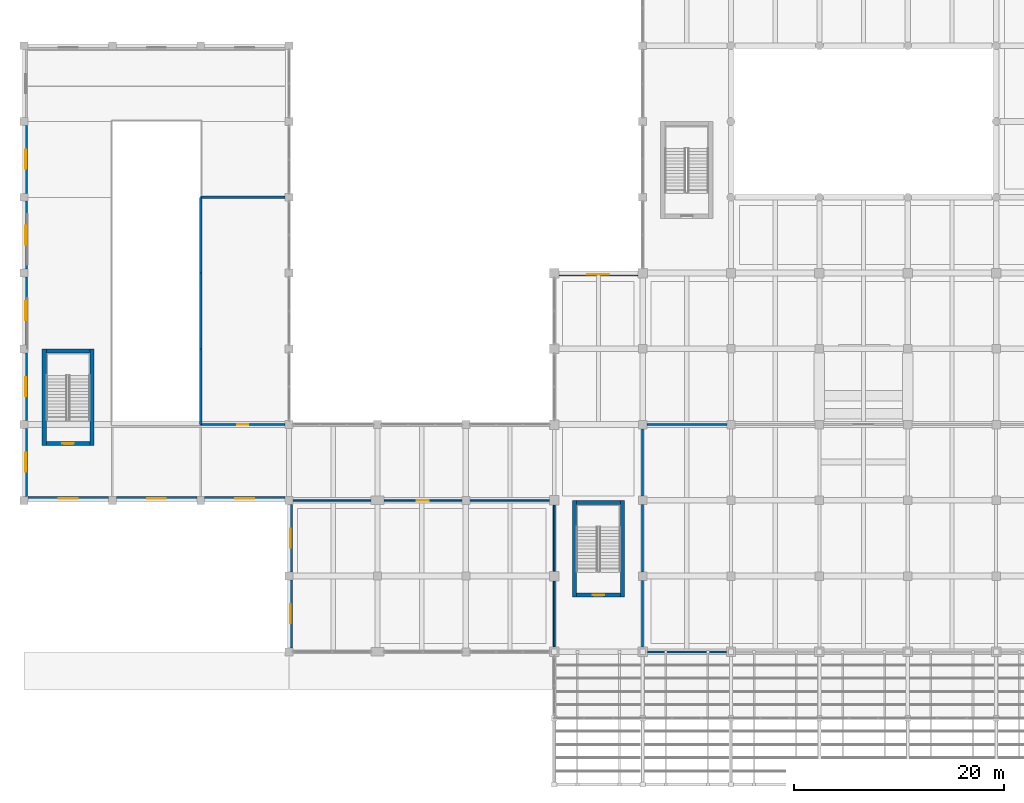
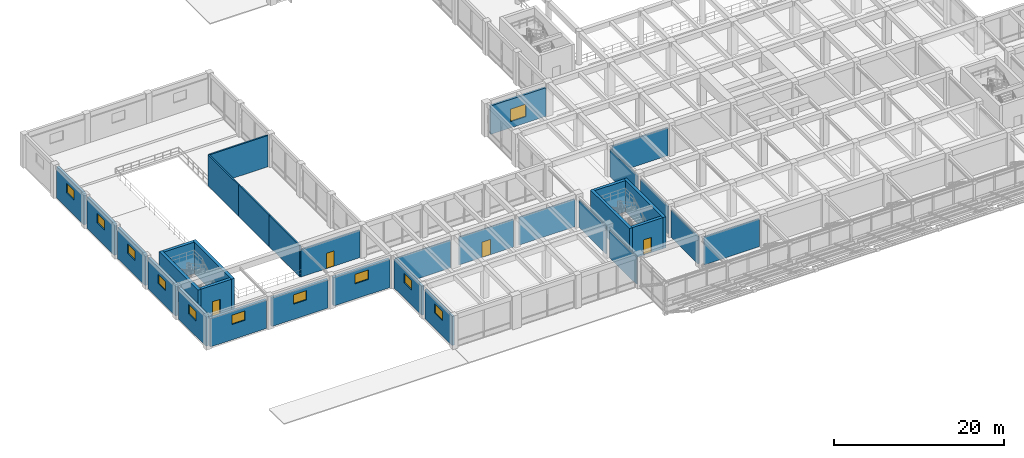
# One storey, part 33 of 52: 34 walls, 11 windows, 4 doors, 15 openings.
"""IFC4 building model written with IfcOpenShell, lengths in metres."""

from ifc_helpers import new_model, si_unit, direction, frame, frame_2d, origin, place, context, subcontext, project, spatial, rectangle, extrude, material, layer, layer_set, type_object, element, fill, save


model = new_model("IFC4")

# Units and contexts
model_context = context("Model", 3, precision=1e-05, world=origin(), true_north=direction((0.0, 1.0)))
body_context = subcontext(model_context, "Body", "Model", "MODEL_VIEW")
ifc_project = project(units=[si_unit("LENGTHUNIT", "METRE"), si_unit("AREAUNIT", "SQUARE_METRE"), si_unit("VOLUMEUNIT", "CUBIC_METRE"), si_unit("PLANEANGLEUNIT", "RADIAN"), si_unit("MASSUNIT", "GRAM", prefix="KILO")], contexts=[model_context])

# Site, building, storey
site_placement = place(None, origin())
site = spatial("IfcSite", under=ifc_project, at=site_placement, CompositionType="ELEMENT")
building_placement = place(site_placement, origin())
building = spatial("IfcBuilding", under=site, at=building_placement, Name="Kenerak Square Central Library", CompositionType="ELEMENT")
storey_placement = place(building_placement, frame((0.0, 0.0, 4.800048828125)))
storey = spatial("IfcBuildingStorey", under=building, at=storey_placement, Name="L01", CompositionType="ELEMENT", Elevation=4.800048828125)

# Wall
ifc_material_1 = material(Name="Precast concrete C40/50", Category="concrete")
ifc_layer_1 = layer(ifc_material_1, 0.14990234375)
ifc_layer_set_1 = layer_set([ifc_layer_1], Name="Precast concrete C40/50")
wall_type_1 = type_object("IfcWallType", Name="Acoustic Blockwork Partition IW-150 C40/50", PredefinedType="PARTITIONING", material=ifc_layer_set_1)
wall_1_placement = place(storey_placement, frame((33.574951171875, 31.199951171875, 0.0), z_axis=(0.0, 0.0, 1.0), x_axis=(1.0, 0.0, 0.0)))
element("IfcWall", 1, at=wall_1_placement, inside=storey, type_object=wall_type_1, Name="Interior Wall IW-L01-03-N2-B1", PredefinedType="PARTITIONING", context=body_context, shape_type="SweptSolid", body=[
    extrude(rectangle(XDim=7.425048828125, YDim=0.14990234375, at=frame_2d((3.71240234375, 0.0))), origin(), (0.0, 0.0, 1.0), 4.0),
])

# Wall, opening, door
wall_2_placement = place(storey_placement, frame((42.199951171875, 31.199951171875, 0.0), z_axis=(0.0, 0.0, 1.0), x_axis=(1.0, 0.0, 0.0)))
wall_2 = element("IfcWall", 2, at=wall_2_placement, inside=storey, type_object=wall_type_1, Name="Interior Wall IW-L01-03-N2-B2", PredefinedType="PARTITIONING", context=body_context, shape_type="SweptSolid", body=[
    extrude(rectangle(XDim=7.425048828125, YDim=0.14990234375, at=frame_2d((3.71240234375, 0.0))), origin(), (0.0, 0.0, 1.0), 4.0),
])
opening_1_placement = place(wall_2_placement, frame((3.137451171875, 0.0, 0.0)))
opening_1 = element("IfcOpeningElement", 3, at=opening_1_placement, cuts=wall_2, Name="Opening ID-05", PredefinedType="OPENING", context=body_context, shape_type="SweptSolid", body=[
    extrude(rectangle(XDim=1.14990234375, YDim=2.199951171875, at=frame_2d((0.574951171875, 1.10009765625))), frame((0.0, 0.0849609375, 0.0), z_axis=(0.0, -1.0, 0.0), x_axis=(1.0, 0.0, 0.0)), (0.0, 0.0, 1.0), 0.169921875),
])
ifc_material_2 = material(Name="Chengal hardwood timber SG1", Category="wood")
door_type_1 = type_object("IfcDoorType", Name="Seminar Room Acoustic Door ID-1150x2200", OperationType="NOTDEFINED", PredefinedType="DOOR", material=ifc_material_2)
door_1_placement = place(opening_1_placement, origin())
door_1 = element("IfcDoor", 4, at=door_1_placement, inside=storey, type_object=door_type_1, Name="Community Learning Seminar Room West Door", OperationType="SINGLE_SWING_LEFT", OverallHeight=2.199951171875, OverallWidth=1.14990234375, PredefinedType="DOOR", context=body_context, shape_type="SweptSolid", body=[
    extrude(rectangle(XDim=1.14990234375, YDim=2.199951171875, at=frame_2d((0.574951171875, 1.10009765625))), frame((0.0, 0.02490234375, 0.0), z_axis=(0.0, -1.0, 0.0), x_axis=(1.0, 0.0, 0.0)), (0.0, 0.0, 1.0), 0.050048828125),
])
fill(opening_1, door_1)

# Walls
wall_3_placement = place(storey_placement, frame((50.375, 31.199951171875, 0.0), z_axis=(0.0, 0.0, 1.0), x_axis=(1.0, 0.0, 0.0)))
element("IfcWall", 5, at=wall_3_placement, inside=storey, type_object=wall_type_1, Name="Interior Wall IW-L01-03-N2-B3", PredefinedType="PARTITIONING", context=body_context, shape_type="SweptSolid", body=[
    extrude(rectangle(XDim=7.574951171875, YDim=0.14990234375, at=frame_2d((3.78759765625, 0.0))), origin(), (0.0, 0.0, 1.0), 4.0),
])
for number, where, z_axis, x_axis, name in (
    (6, (58.39990234375, 30.75, 0.0), (0.0, 0.0, 1.0), (0.0, -1.0, 0.0), "Interior Wall IW-L01-03-E4-B1"),
    (7, (58.39990234375, 23.550048828125, 0.0), (0.0, 0.0, 1.0), (0.0, -1.0, 0.0), "Interior Wall IW-L01-03-E4-B2"),
):
    element("IfcWall", number, at=place(storey_placement, frame(where, z_axis=z_axis, x_axis=x_axis)), inside=storey, type_object=wall_type_1, Name=name, PredefinedType="PARTITIONING", context=body_context, shape_type="SweptSolid", body=[
        extrude(rectangle(XDim=6.300048828125, YDim=0.14990234375, at=frame_2d((3.14990234375, 0.0))), origin(), (0.0, 0.0, 1.0), 3.89990234375),
    ])

# Wall, opening, window
ifc_material_3 = material(Name="Concrete C40/50", Category="concrete")
ifc_layer_2 = layer(ifc_material_3, 0.35009765625)
ifc_layer_set_2 = layer_set([ifc_layer_2], Name="Concrete C40/50")
wall_type_2 = type_object("IfcWallType", Name="Auditorium Fluted Acoustic Wall AW-350 C40/50", PredefinedType="SOLIDWALL", material=ifc_layer_set_2)
wall_4_placement = place(storey_placement, frame((32.824951171875, 31.375, 0.0), z_axis=(0.0, 0.0, 1.0), x_axis=(-1.0, 0.0, 0.0)))
wall_4 = element("IfcWall", 8, at=wall_4_placement, inside=storey, type_object=wall_type_2, Name="Exterior Facade Wall L01 0144", PredefinedType="SOLIDWALL", context=body_context, shape_type="SweptSolid", body=[
    extrude(rectangle(XDim=7.64990234375, YDim=0.35009765625, at=frame_2d((3.824951171875, 0.0))), origin(), (0.0, 0.0, 1.0), 4.099853515625),
])
opening_2_placement = place(wall_4_placement, frame((2.925048828125, 0.0, 2.199951171875)))
opening_2 = element("IfcOpeningElement", 9, at=opening_2_placement, cuts=wall_4, Name="Opening W-08", PredefinedType="OPENING", context=body_context, shape_type="SweptSolid", body=[
    extrude(rectangle(XDim=1.800048828125, YDim=1.35009765625, at=frame_2d((0.89990234375, 0.675048828125))), frame((0.0, 0.18505859375, 0.0), z_axis=(0.0, -1.0, 0.0), x_axis=(1.0, 0.0, 0.0)), (0.0, 0.0, 1.0), 0.3701171875),
])
ifc_material_4 = material(Name="Solar-control low-E laminated double glazing", Category="glass")
window_type_1 = type_object("IfcWindowType", Name="Acoustic Clerestory Window W-08 1800x1350", PartitioningType="SINGLE_PANEL", PredefinedType="WINDOW", material=ifc_material_4)
window_1_placement = place(opening_2_placement, origin())
window_1 = element("IfcWindow", 10, at=window_1_placement, inside=storey, type_object=window_type_1, Name="Window W-08 L01 0133", OverallHeight=1.35009765625, OverallWidth=1.800048828125, PartitioningType="SINGLE_PANEL", PredefinedType="WINDOW", context=body_context, shape_type="SweptSolid", body=[
    extrude(rectangle(XDim=1.800048828125, YDim=1.35009765625, at=frame_2d((0.89990234375, 0.675048828125))), frame((0.0, 0.030029296875, 0.0), z_axis=(0.0, -1.0, 0.0), x_axis=(1.0, 0.0, 0.0)), (0.0, 0.0, 1.0), 0.06005859375),
])
fill(opening_2, window_1)

wall_5_placement = place(storey_placement, frame((24.425048828125, 31.375, 0.0), z_axis=(0.0, 0.0, 1.0), x_axis=(-1.0, 0.0, 0.0)))
wall_5 = element("IfcWall", 11, at=wall_5_placement, inside=storey, type_object=wall_type_2, Name="Exterior Facade Wall L01 0145", PredefinedType="SOLIDWALL", context=body_context, shape_type="SweptSolid", body=[
    extrude(rectangle(XDim=7.650146484375, YDim=0.35009765625, at=frame_2d((3.8251953125, 0.0))), origin(), (0.0, 0.0, 1.0), 4.099853515625),
])
opening_3_placement = place(wall_5_placement, frame((2.925048828125, 0.0, 2.199951171875)))
opening_3 = element("IfcOpeningElement", 12, at=opening_3_placement, cuts=wall_5, Name="Opening W-08", PredefinedType="OPENING", context=body_context, shape_type="SweptSolid", body=[
    extrude(rectangle(XDim=1.800048828125, YDim=1.35009765625, at=frame_2d((0.89990234375, 0.675048828125))), frame((0.0, 0.18505859375, 0.0), z_axis=(0.0, -1.0, 0.0), x_axis=(1.0, 0.0, 0.0)), (0.0, 0.0, 1.0), 0.3701171875),
])
window_2_placement = place(opening_3_placement, origin())
window_2 = element("IfcWindow", 13, at=window_2_placement, inside=storey, type_object=window_type_1, Name="Window W-08 L01 0134", OverallHeight=1.35009765625, OverallWidth=1.800048828125, PartitioningType="SINGLE_PANEL", PredefinedType="WINDOW", context=body_context, shape_type="SweptSolid", body=[
    extrude(rectangle(XDim=1.800048828125, YDim=1.35009765625, at=frame_2d((0.89990234375, 0.675048828125))), frame((0.0, 0.030029296875, 0.0), z_axis=(0.0, -1.0, 0.0), x_axis=(1.0, 0.0, 0.0)), (0.0, 0.0, 1.0), 0.06005859375),
])
fill(opening_3, window_2)

wall_6_placement = place(storey_placement, frame((16.02490234375, 31.375, 0.0), z_axis=(0.0, 0.0, 1.0), x_axis=(-1.0, 0.0, 0.0)))
wall_6 = element("IfcWall", 14, at=wall_6_placement, inside=storey, type_object=wall_type_2, Name="Exterior Facade Wall L01 0146", PredefinedType="SOLIDWALL", context=body_context, shape_type="SweptSolid", body=[
    extrude(rectangle(XDim=7.64990234375, YDim=0.35009765625, at=frame_2d((3.824951171875, 0.0))), origin(), (0.0, 0.0, 1.0), 4.099853515625),
])
opening_4_placement = place(wall_6_placement, frame((2.925048828125, 0.0, 2.199951171875)))
opening_4 = element("IfcOpeningElement", 15, at=opening_4_placement, cuts=wall_6, Name="Opening W-08", PredefinedType="OPENING", context=body_context, shape_type="SweptSolid", body=[
    extrude(rectangle(XDim=1.800048828125, YDim=1.35009765625, at=frame_2d((0.89990234375, 0.675048828125))), frame((0.0, 0.18505859375, 0.0), z_axis=(0.0, -1.0, 0.0), x_axis=(1.0, 0.0, 0.0)), (0.0, 0.0, 1.0), 0.3701171875),
])
window_3_placement = place(opening_4_placement, origin())
window_3 = element("IfcWindow", 16, at=window_3_placement, inside=storey, type_object=window_type_1, Name="Window W-08 L01 0135", OverallHeight=1.35009765625, OverallWidth=1.800048828125, PartitioningType="SINGLE_PANEL", PredefinedType="WINDOW", context=body_context, shape_type="SweptSolid", body=[
    extrude(rectangle(XDim=1.800048828125, YDim=1.35009765625, at=frame_2d((0.89990234375, 0.675048828125))), frame((0.0, 0.030029296875, 0.0), z_axis=(0.0, -1.0, 0.0), x_axis=(1.0, 0.0, 0.0)), (0.0, 0.0, 1.0), 0.06005859375),
])
fill(opening_4, window_3)

wall_7_placement = place(storey_placement, frame((8.175048828125, 31.574951171875, 0.0), z_axis=(0.0, 0.0, 1.0), x_axis=(0.0, 1.0, 0.0)))
wall_7 = element("IfcWall", 17, at=wall_7_placement, inside=storey, type_object=wall_type_2, Name="Exterior Facade Wall L01 0147", PredefinedType="SOLIDWALL", context=body_context, shape_type="SweptSolid", body=[
    extrude(rectangle(XDim=6.449951171875, YDim=0.35009765625, at=frame_2d((3.22509765625, 0.0))), origin(), (0.0, 0.0, 1.0), 4.5),
])
opening_5_placement = place(wall_7_placement, frame((2.324951171875, 0.0, 2.199951171875)))
opening_5 = element("IfcOpeningElement", 18, at=opening_5_placement, cuts=wall_7, Name="Opening W-08", PredefinedType="OPENING", context=body_context, shape_type="SweptSolid", body=[
    extrude(rectangle(XDim=1.800048828125, YDim=1.35009765625, at=frame_2d((0.89990234375, 0.675048828125))), frame((0.0, 0.18505859375, 0.0), z_axis=(0.0, -1.0, 0.0), x_axis=(1.0, 0.0, 0.0)), (0.0, 0.0, 1.0), 0.3701171875),
])
window_4_placement = place(opening_5_placement, origin())
window_4 = element("IfcWindow", 19, at=window_4_placement, inside=storey, type_object=window_type_1, Name="Window W-08 L01 0136", OverallHeight=1.35009765625, OverallWidth=1.800048828125, PartitioningType="SINGLE_PANEL", PredefinedType="WINDOW", context=body_context, shape_type="SweptSolid", body=[
    extrude(rectangle(XDim=1.800048828125, YDim=1.35009765625, at=frame_2d((0.89990234375, 0.675048828125))), frame((0.0, 0.030029296875, 0.0), z_axis=(0.0, -1.0, 0.0), x_axis=(1.0, 0.0, 0.0)), (0.0, 0.0, 1.0), 0.06005859375),
])
fill(opening_5, window_4)

wall_8_placement = place(storey_placement, frame((8.175048828125, 38.77490234375, 0.0), z_axis=(0.0, 0.0, 1.0), x_axis=(0.0, 1.0, 0.0)))
wall_8 = element("IfcWall", 20, at=wall_8_placement, inside=storey, type_object=wall_type_2, Name="Exterior Facade Wall L01 0148", PredefinedType="SOLIDWALL", context=body_context, shape_type="SweptSolid", body=[
    extrude(rectangle(XDim=6.4501953125, YDim=0.35009765625, at=frame_2d((3.22509765625, 0.0))), origin(), (0.0, 0.0, 1.0), 4.5),
])
opening_6_placement = place(wall_8_placement, frame((2.324951171875, 0.0, 2.199951171875)))
opening_6 = element("IfcOpeningElement", 21, at=opening_6_placement, cuts=wall_8, Name="Opening W-08", PredefinedType="OPENING", context=body_context, shape_type="SweptSolid", body=[
    extrude(rectangle(XDim=1.800048828125, YDim=1.35009765625, at=frame_2d((0.89990234375, 0.675048828125))), frame((0.0, 0.18505859375, 0.0), z_axis=(0.0, -1.0, 0.0), x_axis=(1.0, 0.0, 0.0)), (0.0, 0.0, 1.0), 0.3701171875),
])
window_5_placement = place(opening_6_placement, origin())
window_5 = element("IfcWindow", 22, at=window_5_placement, inside=storey, type_object=window_type_1, Name="Window W-08 L01 0137", OverallHeight=1.35009765625, OverallWidth=1.800048828125, PartitioningType="SINGLE_PANEL", PredefinedType="WINDOW", context=body_context, shape_type="SweptSolid", body=[
    extrude(rectangle(XDim=1.800048828125, YDim=1.35009765625, at=frame_2d((0.89990234375, 0.675048828125))), frame((0.0, 0.030029296875, 0.0), z_axis=(0.0, -1.0, 0.0), x_axis=(1.0, 0.0, 0.0)), (0.0, 0.0, 1.0), 0.06005859375),
])
fill(opening_6, window_5)

wall_9_placement = place(storey_placement, frame((8.175048828125, 45.97509765625, 0.0), z_axis=(0.0, 0.0, 1.0), x_axis=(0.0, 1.0, 0.0)))
wall_9 = element("IfcWall", 23, at=wall_9_placement, inside=storey, type_object=wall_type_2, Name="Exterior Facade Wall L01 0149", PredefinedType="SOLIDWALL", context=body_context, shape_type="SweptSolid", body=[
    extrude(rectangle(XDim=6.449951171875, YDim=0.35009765625, at=frame_2d((3.22509765625, 0.0))), origin(), (0.0, 0.0, 1.0), 4.5),
])
opening_7_placement = place(wall_9_placement, frame((2.324951171875, 0.0, 2.199951171875)))
opening_7 = element("IfcOpeningElement", 24, at=opening_7_placement, cuts=wall_9, Name="Opening W-08", PredefinedType="OPENING", context=body_context, shape_type="SweptSolid", body=[
    extrude(rectangle(XDim=1.800048828125, YDim=1.35009765625, at=frame_2d((0.89990234375, 0.675048828125))), frame((0.0, 0.18505859375, 0.0), z_axis=(0.0, -1.0, 0.0), x_axis=(1.0, 0.0, 0.0)), (0.0, 0.0, 1.0), 0.3701171875),
])
window_6_placement = place(opening_7_placement, origin())
window_6 = element("IfcWindow", 25, at=window_6_placement, inside=storey, type_object=window_type_1, Name="Window W-08 L01 0138", OverallHeight=1.35009765625, OverallWidth=1.800048828125, PartitioningType="SINGLE_PANEL", PredefinedType="WINDOW", context=body_context, shape_type="SweptSolid", body=[
    extrude(rectangle(XDim=1.800048828125, YDim=1.35009765625, at=frame_2d((0.89990234375, 0.675048828125))), frame((0.0, 0.030029296875, 0.0), z_axis=(0.0, -1.0, 0.0), x_axis=(1.0, 0.0, 0.0)), (0.0, 0.0, 1.0), 0.06005859375),
])
fill(opening_7, window_6)

wall_10_placement = place(storey_placement, frame((8.175048828125, 53.175048828125, 0.0), z_axis=(0.0, 0.0, 1.0), x_axis=(0.0, 1.0, 0.0)))
wall_10 = element("IfcWall", 26, at=wall_10_placement, inside=storey, type_object=wall_type_2, Name="Exterior Facade Wall L01 0150", PredefinedType="SOLIDWALL", context=body_context, shape_type="SweptSolid", body=[
    extrude(rectangle(XDim=6.449951171875, YDim=0.35009765625, at=frame_2d((3.22509765625, 0.0))), origin(), (0.0, 0.0, 1.0), 4.5),
])
opening_8_placement = place(wall_10_placement, frame((2.324951171875, 0.0, 2.199951171875)))
opening_8 = element("IfcOpeningElement", 27, at=opening_8_placement, cuts=wall_10, Name="Opening W-08", PredefinedType="OPENING", context=body_context, shape_type="SweptSolid", body=[
    extrude(rectangle(XDim=1.800048828125, YDim=1.35009765625, at=frame_2d((0.89990234375, 0.675048828125))), frame((0.0, 0.18505859375, 0.0), z_axis=(0.0, -1.0, 0.0), x_axis=(1.0, 0.0, 0.0)), (0.0, 0.0, 1.0), 0.3701171875),
])
window_7_placement = place(opening_8_placement, origin())
window_7 = element("IfcWindow", 28, at=window_7_placement, inside=storey, type_object=window_type_1, Name="Window W-08 L01 0139", OverallHeight=1.35009765625, OverallWidth=1.800048828125, PartitioningType="SINGLE_PANEL", PredefinedType="WINDOW", context=body_context, shape_type="SweptSolid", body=[
    extrude(rectangle(XDim=1.800048828125, YDim=1.35009765625, at=frame_2d((0.89990234375, 0.675048828125))), frame((0.0, 0.030029296875, 0.0), z_axis=(0.0, -1.0, 0.0), x_axis=(1.0, 0.0, 0.0)), (0.0, 0.0, 1.0), 0.06005859375),
])
fill(opening_8, window_7)

wall_11_placement = place(storey_placement, frame((8.175048828125, 60.375, 0.0), z_axis=(0.0, 0.0, 1.0), x_axis=(0.0, 1.0, 0.0)))
wall_11 = element("IfcWall", 29, at=wall_11_placement, inside=storey, type_object=wall_type_2, Name="Exterior Facade Wall L01 0151", PredefinedType="SOLIDWALL", context=body_context, shape_type="SweptSolid", body=[
    extrude(rectangle(XDim=6.449951171875, YDim=0.35009765625, at=frame_2d((3.22509765625, 0.0))), origin(), (0.0, 0.0, 1.0), 4.5),
])
opening_9_placement = place(wall_11_placement, frame((2.324951171875, 0.0, 2.199951171875)))
opening_9 = element("IfcOpeningElement", 30, at=opening_9_placement, cuts=wall_11, Name="Opening W-08", PredefinedType="OPENING", context=body_context, shape_type="SweptSolid", body=[
    extrude(rectangle(XDim=1.800048828125, YDim=1.35009765625, at=frame_2d((0.89990234375, 0.675048828125))), frame((0.0, 0.18505859375, 0.0), z_axis=(0.0, -1.0, 0.0), x_axis=(1.0, 0.0, 0.0)), (0.0, 0.0, 1.0), 0.3701171875),
])
window_8_placement = place(opening_9_placement, origin())
window_8 = element("IfcWindow", 31, at=window_8_placement, inside=storey, type_object=window_type_1, Name="Window W-08 L01 0140", OverallHeight=1.35009765625, OverallWidth=1.800048828125, PartitioningType="SINGLE_PANEL", PredefinedType="WINDOW", context=body_context, shape_type="SweptSolid", body=[
    extrude(rectangle(XDim=1.800048828125, YDim=1.35009765625, at=frame_2d((0.89990234375, 0.675048828125))), frame((0.0, 0.030029296875, 0.0), z_axis=(0.0, -1.0, 0.0), x_axis=(1.0, 0.0, 0.0)), (0.0, 0.0, 1.0), 0.06005859375),
])
fill(opening_9, window_8)

ifc_layer_3 = layer(ifc_material_3, 0.300048828125)
ifc_layer_set_3 = layer_set([ifc_layer_3], Name="Concrete C40/50")
wall_type_3 = type_object("IfcWallType", Name="Board-Marked Brutalist Facade Wall EW-300 C40/50", PredefinedType="SOLIDWALL", material=ifc_layer_set_3)
wall_12_placement = place(storey_placement, frame((58.85009765625, 52.64990234375, 0.0), z_axis=(0.0, 0.0, 1.0), x_axis=(1.0, 0.0, 0.0)))
wall_12 = element("IfcWall", 32, at=wall_12_placement, inside=storey, type_object=wall_type_3, Name="Exterior Facade Wall L01 0108", PredefinedType="SOLIDWALL", context=body_context, shape_type="SweptSolid", body=[
    extrude(rectangle(XDim=7.5, YDim=0.300048828125, at=frame_2d((3.75, 0.0))), origin(), (0.0, 0.0, 1.0), 4.099853515625),
])
opening_10_placement = place(wall_12_placement, frame((2.699951171875, 0.0, 0.89990234375)))
opening_10 = element("IfcOpeningElement", 33, at=opening_10_placement, cuts=wall_12, Name="Opening W-11", PredefinedType="OPENING", context=body_context, shape_type="SweptSolid", body=[
    extrude(rectangle(XDim=2.10009765625, YDim=1.800048828125, at=frame_2d((1.050048828125, 0.89990234375))), frame((0.0, 0.159912109375, 0.0), z_axis=(0.0, -1.0, 0.0), x_axis=(1.0, 0.0, 0.0)), (0.0, 0.0, 1.0), 0.320068359375),
])
window_type_2 = type_object("IfcWindowType", Name="Maker Studio Window W-11 2100x1800", PartitioningType="SINGLE_PANEL", PredefinedType="WINDOW", material=ifc_material_4)
window_9_placement = place(opening_10_placement, origin())
window_9 = element("IfcWindow", 34, at=window_9_placement, inside=storey, type_object=window_type_2, Name="Window W-11 L01 0079", OverallHeight=1.800048828125, OverallWidth=2.10009765625, PartitioningType="SINGLE_PANEL", PredefinedType="WINDOW", context=body_context, shape_type="SweptSolid", body=[
    extrude(rectangle(XDim=2.10009765625, YDim=1.800048828125, at=frame_2d((1.050048828125, 0.89990234375))), frame((0.0, 0.030029296875, 0.0), z_axis=(0.0, -1.0, 0.0), x_axis=(1.0, 0.0, 0.0)), (0.0, 0.0, 1.0), 0.06005859375),
])
fill(opening_10, window_9)

wall_13_placement = place(storey_placement, frame((33.35009765625, 17.175048828125, 0.0), z_axis=(0.0, 0.0, 1.0), x_axis=(0.0, 1.0, 0.0)))
wall_13 = element("IfcWall", 35, at=wall_13_placement, inside=storey, type_object=wall_type_3, Name="Exterior Facade Wall L01 0142", PredefinedType="SOLIDWALL", context=body_context, shape_type="SweptSolid", body=[
    extrude(rectangle(XDim=6.449951171875, YDim=0.300048828125, at=frame_2d((3.22509765625, 0.0))), origin(), (0.0, 0.0, 1.0), 4.199951171875),
])
opening_11_placement = place(wall_13_placement, frame((2.324951171875, 0.0, 2.199951171875)))
opening_11 = element("IfcOpeningElement", 36, at=opening_11_placement, cuts=wall_13, Name="Opening W-08", PredefinedType="OPENING", context=body_context, shape_type="SweptSolid", body=[
    extrude(rectangle(XDim=1.800048828125, YDim=1.35009765625, at=frame_2d((0.89990234375, 0.675048828125))), frame((0.0, 0.159912109375, 0.0), z_axis=(0.0, -1.0, 0.0), x_axis=(1.0, 0.0, 0.0)), (0.0, 0.0, 1.0), 0.320068359375),
])
window_10_placement = place(opening_11_placement, origin())
window_10 = element("IfcWindow", 37, at=window_10_placement, inside=storey, type_object=window_type_1, Name="Window W-08 L01 0131", OverallHeight=1.35009765625, OverallWidth=1.800048828125, PartitioningType="SINGLE_PANEL", PredefinedType="WINDOW", context=body_context, shape_type="SweptSolid", body=[
    extrude(rectangle(XDim=1.800048828125, YDim=1.35009765625, at=frame_2d((0.89990234375, 0.675048828125))), frame((0.0, 0.030029296875, 0.0), z_axis=(0.0, -1.0, 0.0), x_axis=(1.0, 0.0, 0.0)), (0.0, 0.0, 1.0), 0.06005859375),
])
fill(opening_11, window_10)

wall_14_placement = place(storey_placement, frame((33.35009765625, 24.375, 0.0), z_axis=(0.0, 0.0, 1.0), x_axis=(0.0, 1.0, 0.0)))
wall_14 = element("IfcWall", 38, at=wall_14_placement, inside=storey, type_object=wall_type_3, Name="Exterior Facade Wall L01 0143", PredefinedType="SOLIDWALL", context=body_context, shape_type="SweptSolid", body=[
    extrude(rectangle(XDim=6.449951171875, YDim=0.300048828125, at=frame_2d((3.22509765625, 0.0))), origin(), (0.0, 0.0, 1.0), 4.199951171875),
])
opening_12_placement = place(wall_14_placement, frame((2.324951171875, 0.0, 2.199951171875)))
opening_12 = element("IfcOpeningElement", 39, at=opening_12_placement, cuts=wall_14, Name="Opening W-08", PredefinedType="OPENING", context=body_context, shape_type="SweptSolid", body=[
    extrude(rectangle(XDim=1.800048828125, YDim=1.35009765625, at=frame_2d((0.89990234375, 0.675048828125))), frame((0.0, 0.159912109375, 0.0), z_axis=(0.0, -1.0, 0.0), x_axis=(1.0, 0.0, 0.0)), (0.0, 0.0, 1.0), 0.320068359375),
])
window_11_placement = place(opening_12_placement, origin())
window_11 = element("IfcWindow", 40, at=window_11_placement, inside=storey, type_object=window_type_1, Name="Window W-08 L01 0132", OverallHeight=1.35009765625, OverallWidth=1.800048828125, PartitioningType="SINGLE_PANEL", PredefinedType="WINDOW", context=body_context, shape_type="SweptSolid", body=[
    extrude(rectangle(XDim=1.800048828125, YDim=1.35009765625, at=frame_2d((0.89990234375, 0.675048828125))), frame((0.0, 0.030029296875, 0.0), z_axis=(0.0, -1.0, 0.0), x_axis=(1.0, 0.0, 0.0)), (0.0, 0.0, 1.0), 0.06005859375),
])
fill(opening_12, window_11)

# Walls
ifc_layer_4 = layer(ifc_material_3, 0.39990234375)
ifc_layer_set_4 = layer_set([ifc_layer_4], Name="Concrete C40/50")
wall_type_4 = type_object("IfcWallType", Name="Core Shear Wall CW-400 C40/50", PredefinedType="SHEAR", material=ifc_layer_set_4)
for number, where, z_axis, x_axis, name in (
    (41, (60.320068359375, 22.0, 0.0), (0.0, 0.0, 1.0), (0.0, 1.0, 0.0), "Core Wall CW-C4 L01 West"),
    (42, (64.8798828125, 31.199951171875, 0.0), (0.0, 0.0, 1.0), (0.0, -1.0, 0.0), "Core Wall CW-C4 L01 East"),
):
    element("IfcWall", number, at=place(storey_placement, frame(where, z_axis=z_axis, x_axis=x_axis)), inside=storey, type_object=wall_type_4, Name=name, PredefinedType="SHEAR", context=body_context, shape_type="SweptSolid", body=[
        extrude(rectangle(XDim=9.199951171875, YDim=0.39990234375, at=frame_2d((4.60009765625, 0.0))), origin(), (0.0, 0.0, 1.0), 4.5),
    ])

# Wall, opening, door
wall_15_placement = place(storey_placement, frame((64.679931640625, 22.199951171875, 0.0), z_axis=(0.0, 0.0, 1.0), x_axis=(-1.0, 0.0, 0.0)))
wall_15 = element("IfcWall", 43, at=wall_15_placement, inside=storey, type_object=wall_type_4, Name="Core Wall CW-C4 L01 South", PredefinedType="SHEAR", context=body_context, shape_type="SweptSolid", body=[
    extrude(rectangle(XDim=4.159912109375, YDim=0.39990234375, at=frame_2d((2.080078125, 0.0))), origin(), (0.0, 0.0, 1.0), 4.5),
])
opening_13_placement = place(wall_15_placement, frame((1.530029296875, 0.0, 0.0)))
opening_13 = element("IfcOpeningElement", 44, at=opening_13_placement, cuts=wall_15, Name="Opening D-ST1", PredefinedType="OPENING", context=body_context, shape_type="SweptSolid", body=[
    extrude(rectangle(XDim=1.10009765625, YDim=2.199951171875, at=frame_2d((0.550048828125, 1.10009765625))), frame((0.0, 0.2099609375, 0.0), z_axis=(0.0, -1.0, 0.0), x_axis=(1.0, 0.0, 0.0)), (0.0, 0.0, 1.0), 0.419921875),
])
ifc_material_5 = material(Name="Steel S355", Category="steel")
door_type_2 = type_object("IfcDoorType", Name="Protected Stair Fire Door FD-1100x2200 FD60S", OperationType="NOTDEFINED", PredefinedType="DOOR", material=ifc_material_5)
door_2_placement = place(opening_13_placement, frame((1.10009765625, 0.0, 0.0), z_axis=(0.0, 0.0, 1.0), x_axis=(-1.0, 0.0, 0.0)))
door_2 = element("IfcDoor", 45, at=door_2_placement, inside=storey, type_object=door_type_2, Name="Stair Door ST-04 L01", OperationType="SINGLE_SWING_RIGHT", OverallHeight=2.199951171875, OverallWidth=1.10009765625, PredefinedType="DOOR", context=body_context, shape_type="SweptSolid", body=[
    extrude(rectangle(XDim=1.10009765625, YDim=2.199951171875, at=frame_2d((0.550048828125, 1.10009765625))), frame((0.0, 0.02490234375, 0.0), z_axis=(0.0, -1.0, 0.0), x_axis=(1.0, 0.0, 0.0)), (0.0, 0.0, 1.0), 0.050048828125),
])
fill(opening_13, door_2)

# Walls
wall_16_placement = place(storey_placement, frame((60.52001953125, 31.0, 0.0), z_axis=(0.0, 0.0, 1.0), x_axis=(1.0, 0.0, 0.0)))
element("IfcWall", 46, at=wall_16_placement, inside=storey, type_object=wall_type_4, Name="Core Wall CW-C4 L01 North", PredefinedType="SHEAR", context=body_context, shape_type="SweptSolid", body=[
    extrude(rectangle(XDim=4.159912109375, YDim=0.39990234375, at=frame_2d((2.080078125, 0.0))), origin(), (0.0, 0.0, 1.0), 4.5),
])
for number, where, z_axis, x_axis, name in (
    (47, (9.919921875, 36.39990234375, 0.0), (0.0, 0.0, 1.0), (0.0, 1.0, 0.0), "Core Wall CW-C6 L01 West"),
    (48, (14.47998046875, 45.60009765625, 0.0), (0.0, 0.0, 1.0), (0.0, -1.0, 0.0), "Core Wall CW-C6 L01 East"),
):
    element("IfcWall", number, at=place(storey_placement, frame(where, z_axis=z_axis, x_axis=x_axis)), inside=storey, type_object=wall_type_4, Name=name, PredefinedType="SHEAR", context=body_context, shape_type="SweptSolid", body=[
        extrude(rectangle(XDim=9.2001953125, YDim=0.39990234375, at=frame_2d((4.60009765625, 0.0))), origin(), (0.0, 0.0, 1.0), 4.550048828125),
    ])

# Wall, opening, door
wall_17_placement = place(storey_placement, frame((14.280029296875, 36.60009765625, 0.0), z_axis=(0.0, 0.0, 1.0), x_axis=(-1.0, 0.0, 0.0)))
wall_17 = element("IfcWall", 49, at=wall_17_placement, inside=storey, type_object=wall_type_4, Name="Core Wall CW-C6 L01 South", PredefinedType="SHEAR", context=body_context, shape_type="SweptSolid", body=[
    extrude(rectangle(XDim=4.159912109375, YDim=0.39990234375, at=frame_2d((2.080078125, 0.0))), origin(), (0.0, 0.0, 1.0), 4.550048828125),
])
opening_14_placement = place(wall_17_placement, frame((1.530029296875, 0.0, 0.0)))
opening_14 = element("IfcOpeningElement", 50, at=opening_14_placement, cuts=wall_17, Name="Opening D-ST1", PredefinedType="OPENING", context=body_context, shape_type="SweptSolid", body=[
    extrude(rectangle(XDim=1.10009765625, YDim=2.199951171875, at=frame_2d((0.550048828125, 1.10009765625))), frame((0.0, 0.2099609375, 0.0), z_axis=(0.0, -1.0, 0.0), x_axis=(1.0, 0.0, 0.0)), (0.0, 0.0, 1.0), 0.419921875),
])
door_3_placement = place(opening_14_placement, frame((1.10009765625, 0.0, 0.0), z_axis=(0.0, 0.0, 1.0), x_axis=(-1.0, 0.0, 0.0)))
door_3 = element("IfcDoor", 51, at=door_3_placement, inside=storey, type_object=door_type_2, Name="Stair Door ST-06 L01", OperationType="SINGLE_SWING_RIGHT", OverallHeight=2.199951171875, OverallWidth=1.10009765625, PredefinedType="DOOR", context=body_context, shape_type="SweptSolid", body=[
    extrude(rectangle(XDim=1.10009765625, YDim=2.199951171875, at=frame_2d((0.550048828125, 1.10009765625))), frame((0.0, 0.02490234375, 0.0), z_axis=(0.0, -1.0, 0.0), x_axis=(1.0, 0.0, 0.0)), (0.0, 0.0, 1.0), 0.050048828125),
])
fill(opening_14, door_3)

# Walls
wall_18_placement = place(storey_placement, frame((10.1201171875, 45.39990234375, 0.0), z_axis=(0.0, 0.0, 1.0), x_axis=(1.0, 0.0, 0.0)))
element("IfcWall", 52, at=wall_18_placement, inside=storey, type_object=wall_type_4, Name="Core Wall CW-C6 L01 North", PredefinedType="SHEAR", context=body_context, shape_type="SweptSolid", body=[
    extrude(rectangle(XDim=4.159912109375, YDim=0.39990234375, at=frame_2d((2.080078125, 0.0))), origin(), (0.0, 0.0, 1.0), 4.550048828125),
])
ifc_layer_5 = layer(ifc_material_1, 0.199951171875)
ifc_layer_set_5 = layer_set([ifc_layer_5], Name="Precast concrete C40/50")
wall_type_5 = type_object("IfcWallType", Name="Protected Corridor Fire Wall IW-200 C40/50", PredefinedType="PARTITIONING", material=ifc_layer_set_5)
wall_19_placement = place(storey_placement, frame((67.199951171875, 38.39990234375, 0.0), z_axis=(0.0, 0.0, 1.0), x_axis=(1.0, 0.0, 0.0)))
element("IfcWall", 53, at=wall_19_placement, inside=storey, type_object=wall_type_5, Name="Interior Wall IW-L01-01-N2-B1", PredefinedType="PARTITIONING", context=body_context, shape_type="SweptSolid", body=[
    extrude(rectangle(XDim=7.60009765625, YDim=0.199951171875, at=frame_2d((3.800048828125, 0.0))), origin(), (0.0, 0.0, 1.0), 4.0),
])

# Wall, opening, door
wall_20_placement = place(storey_placement, frame((32.824951171875, 38.39990234375, 0.0), z_axis=(0.0, 0.0, 1.0), x_axis=(-1.0, 0.0, 0.0)))
wall_20 = element("IfcWall", 54, at=wall_20_placement, inside=storey, type_object=wall_type_5, Name="Interior Wall IW-L01-06-S1-B1", PredefinedType="PARTITIONING", context=body_context, shape_type="SweptSolid", body=[
    extrude(rectangle(XDim=8.02490234375, YDim=0.199951171875, at=frame_2d((4.012451171875, 0.0))), origin(), (0.0, 0.0, 1.0), 3.949951171875),
])
opening_15_placement = place(wall_20_placement, frame((3.487548828125, 0.0, 0.0)))
opening_15 = element("IfcOpeningElement", 55, at=opening_15_placement, cuts=wall_20, Name="Opening ID-04", PredefinedType="OPENING", context=body_context, shape_type="SweptSolid", body=[
    extrude(rectangle(XDim=1.050048828125, YDim=2.199951171875, at=frame_2d((0.52490234375, 1.10009765625))), frame((0.0, 0.10986328125, 0.0), z_axis=(0.0, -1.0, 0.0), x_axis=(1.0, 0.0, 0.0)), (0.0, 0.0, 1.0), 0.219970703125),
])
door_type_3 = type_object("IfcDoorType", Name="Conservation Lab Door ID-1050x2200 FD60S", OperationType="NOTDEFINED", PredefinedType="DOOR", material=ifc_material_5)
door_4_placement = place(opening_15_placement, origin())
door_4 = element("IfcDoor", 56, at=door_4_placement, inside=storey, type_object=door_type_3, Name="Auditorium Projection and Sound Control Room Door", OperationType="SINGLE_SWING_RIGHT", OverallHeight=2.199951171875, OverallWidth=1.050048828125, PredefinedType="DOOR", context=body_context, shape_type="SweptSolid", body=[
    extrude(rectangle(XDim=1.050048828125, YDim=2.199951171875, at=frame_2d((0.52490234375, 1.10009765625))), frame((0.0, 0.02490234375, 0.0), z_axis=(0.0, -1.0, 0.0), x_axis=(1.0, 0.0, 0.0)), (0.0, 0.0, 1.0), 0.050048828125),
])
fill(opening_15, door_4)

# Walls
wall_21_placement = place(storey_placement, frame((74.75, 16.800048828125, 0.0), z_axis=(0.0, 0.0, 1.0), x_axis=(-1.0, 0.0, 0.0)))
element("IfcWall", 57, at=wall_21_placement, inside=storey, type_object=wall_type_5, Name="Interior Wall IW-L01-01-S1-B5", PredefinedType="PARTITIONING", context=body_context, shape_type="SweptSolid", body=[
    extrude(rectangle(XDim=7.5, YDim=0.199951171875, at=frame_2d((3.75, 0.0))), origin(), (0.0, 0.0, 1.0), 4.0),
])
wall_22_placement = place(storey_placement, frame((66.800048828125, 17.25, 0.0), z_axis=(0.0, 0.0, 1.0), x_axis=(0.0, 1.0, 0.0)))
element("IfcWall", 58, at=wall_22_placement, inside=storey, type_object=wall_type_5, Name="Interior Wall IW-L01-01-W3-B1", PredefinedType="PARTITIONING", context=body_context, shape_type="SweptSolid", body=[
    extrude(rectangle(XDim=6.35009765625, YDim=0.199951171875, at=frame_2d((3.175048828125, 0.0))), origin(), (0.0, 0.0, 1.0), 3.89990234375),
])
wall_23_placement = place(storey_placement, frame((66.800048828125, 24.39990234375, 0.0), z_axis=(0.0, 0.0, 1.0), x_axis=(0.0, 1.0, 0.0)))
element("IfcWall", 59, at=wall_23_placement, inside=storey, type_object=wall_type_5, Name="Interior Wall IW-L01-01-W3-B2", PredefinedType="PARTITIONING", context=body_context, shape_type="SweptSolid", body=[
    extrude(rectangle(XDim=6.400146484375, YDim=0.199951171875, at=frame_2d((3.2001953125, 0.0))), origin(), (0.0, 0.0, 1.0), 3.89990234375),
])
wall_24_placement = place(storey_placement, frame((66.800048828125, 31.60009765625, 0.0), z_axis=(0.0, 0.0, 1.0), x_axis=(0.0, 1.0, 0.0)))
element("IfcWall", 60, at=wall_24_placement, inside=storey, type_object=wall_type_5, Name="Interior Wall IW-L01-01-W3-B3", PredefinedType="PARTITIONING", context=body_context, shape_type="SweptSolid", body=[
    extrude(rectangle(XDim=6.39990234375, YDim=0.199951171875, at=frame_2d((3.199951171875, 0.0))), origin(), (0.0, 0.0, 1.0), 3.89990234375),
])
wall_25_placement = place(storey_placement, frame((24.800048828125, 60.0, 0.0), z_axis=(0.0, 0.0, 1.0), x_axis=(1.0, 0.0, 0.0)))
element("IfcWall", 61, at=wall_25_placement, inside=storey, type_object=wall_type_5, Name="Interior Wall IW-L01-06-N2-B1", PredefinedType="PARTITIONING", context=body_context, shape_type="SweptSolid", body=[
    extrude(rectangle(XDim=8.02490234375, YDim=0.199951171875, at=frame_2d((4.012451171875, 0.0))), origin(), (0.0, 0.0, 1.0), 4.5),
])
wall_26_placement = place(storey_placement, frame((24.800048828125, 38.39990234375, 0.0), z_axis=(0.0, 0.0, 1.0), x_axis=(0.0, 1.0, 0.0)))
element("IfcWall", 62, at=wall_26_placement, inside=storey, type_object=wall_type_5, Name="Interior Wall IW-L01-06-W3-B1", PredefinedType="PARTITIONING", context=body_context, shape_type="SweptSolid", body=[
    extrude(rectangle(XDim=7.2001953125, YDim=0.199951171875, at=frame_2d((3.60009765625, 0.0))), origin(), (0.0, 0.0, 1.0), 4.5),
])
for number, where, z_axis, x_axis, name in (
    (63, (24.800048828125, 45.60009765625, 0.0), (0.0, 0.0, 1.0), (0.0, 1.0, 0.0), "Interior Wall IW-L01-06-W3-B2"),
    (64, (24.800048828125, 52.800048828125, 0.0), (0.0, 0.0, 1.0), (0.0, 1.0, 0.0), "Interior Wall IW-L01-06-W3-B3"),
):
    element("IfcWall", number, at=place(storey_placement, frame(where, z_axis=z_axis, x_axis=x_axis)), inside=storey, type_object=wall_type_5, Name=name, PredefinedType="PARTITIONING", context=body_context, shape_type="SweptSolid", body=[
        extrude(rectangle(XDim=7.199951171875, YDim=0.199951171875, at=frame_2d((3.60009765625, 0.0))), origin(), (0.0, 0.0, 1.0), 4.5),
    ])

save(model, "model.ifc")
